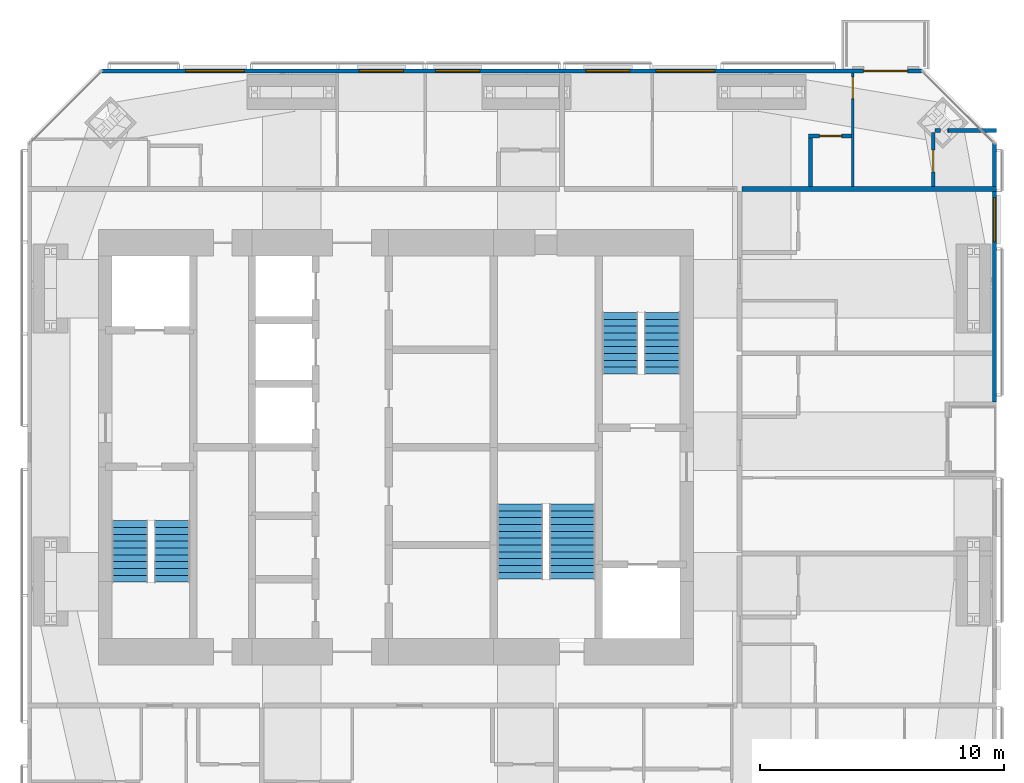
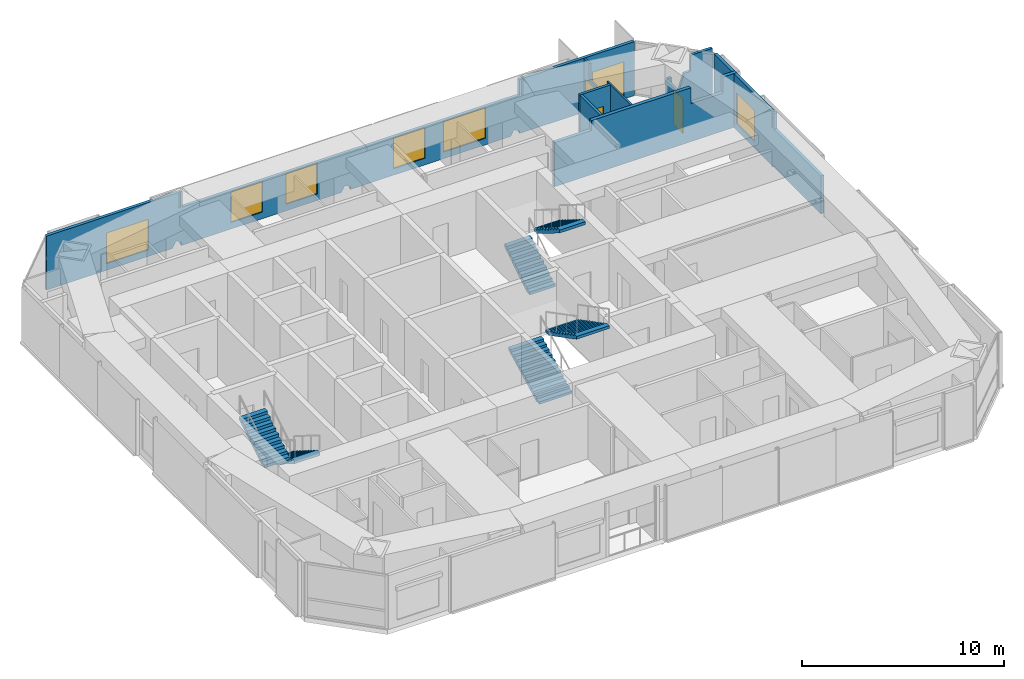
# One storey, part 18 of 19: 9 walls, 6 stair flights, 6 windows, 4 doors, 10 openings, 3 elements without a shape of their own.
"""IFC4 building model written with IfcOpenShell, lengths in metres."""

import ifcopenshell
import ifcopenshell.guid

model = None  # the IFC model being written
_history = None  # IfcOwnerHistory: only IFC2X3 demands one
_inside = {}  # id of a spatial element -> (the spatial element, [elements in it])
_under = {}  # id of a project, library or spatial element -> (it, [spatial elements below it])
_declared = {}  # id of a project -> (the project, [libraries it declares])
_typed = {}  # id of a type object -> (the type object, [elements of that type])
_made_of = {}  # id of a material, layer set ... -> (it, [elements and type objects made of it])


def new_model(schema):
    """Start an empty IFC model of exactly this schema.

    Asked for "IFC4X3", IfcOpenShell would pick the latest addendum, in which some entities
    have other attributes; the version numbers below select the first issue.
    IFC2X3 requires an IfcOwnerHistory on every rooted entity: one is made here for all.
    """
    global model, _history
    if schema == "IFC4X3":
        model = ifcopenshell.file(schema_version=(4, 3, 0, 0))
    else:
        model = ifcopenshell.file(schema=schema)
    _inside.clear()
    _under.clear()
    _declared.clear()
    _typed.clear()
    _made_of.clear()
    _history = None
    if model.schema == "IFC2X3":
        org = make("IfcOrganization", Name="unknown")
        user = make(
            "IfcPersonAndOrganization",
            ThePerson=make("IfcPerson", FamilyName="unknown"),
            TheOrganization=org,
        )
        app = make(
            "IfcApplication",
            ApplicationDeveloper=org,
            Version="unknown",
            ApplicationFullName="unknown",
            ApplicationIdentifier="unknown",
        )
        _history = make(
            "IfcOwnerHistory",
            OwningUser=user,
            OwningApplication=app,
            ChangeAction="ADDED",
            CreationDate=0,
        )
    return model


def make(cls, **values):
    """One entity of the class cls with the attributes given. An attribute that is None is left unset."""
    return model.create_entity(
        cls, **{name: value for name, value in values.items() if value is not None}
    )


def rooted(cls, **values):
    """An entity with a GlobalId (a new one), such as an element, a storey or a relation."""
    return make(cls, GlobalId=ifcopenshell.guid.new(), OwnerHistory=_history, **values)


def si_unit(unit_type, name, prefix=None):
    """IfcSIUnit, for example si_unit("LENGTHUNIT", "METRE", prefix="MILLI")."""
    return make("IfcSIUnit", UnitType=unit_type, Prefix=prefix, Name=name)


def assignment(units):
    """IfcUnitAssignment: the units of a project."""
    return None if units is None else make("IfcUnitAssignment", Units=units)


def point(xyz):
    """IfcCartesianPoint."""
    return None if xyz is None else make("IfcCartesianPoint", Coordinates=xyz)


def direction(xyz):
    """IfcDirection."""
    return None if xyz is None else make("IfcDirection", DirectionRatios=xyz)


def frame(location, z_axis=None, x_axis=None):
    """IfcAxis2Placement3D, a coordinate frame: its origin and axes. An axis left out is left unset."""
    return make(
        "IfcAxis2Placement3D",
        Location=point(location),
        Axis=direction(z_axis),
        RefDirection=direction(x_axis),
    )


def frame_2d(location, x_axis=None):
    """IfcAxis2Placement2D, a coordinate frame in the plane: its origin and x axis."""
    return make(
        "IfcAxis2Placement2D", Location=point(location), RefDirection=direction(x_axis)
    )


def origin():
    """The frame at (0, 0, 0) with its axes left unset."""
    return frame((0.0, 0.0, 0.0))


def place(relative_to, where):
    """IfcLocalPlacement: puts the frame where relative to a parent placement (None: the world)."""
    return make(
        "IfcLocalPlacement", PlacementRelTo=relative_to, RelativePlacement=where
    )


def context(
    kind, dimensions, precision=None, world=None, true_north=None, identifier=None
):
    """IfcGeometricRepresentationContext, for example the 3D "Model" context."""
    return make(
        "IfcGeometricRepresentationContext",
        ContextIdentifier=identifier,
        ContextType=kind,
        CoordinateSpaceDimension=dimensions,
        Precision=precision,
        WorldCoordinateSystem=world,
        TrueNorth=true_north,
    )


def subcontext(parent, identifier, kind, view, scale=None):
    """IfcGeometricRepresentationSubContext, for example "Body" below "Model"."""
    return make(
        "IfcGeometricRepresentationSubContext",
        ContextIdentifier=identifier,
        ContextType=kind,
        ParentContext=parent,
        TargetScale=scale,
        TargetView=view,
    )


def project(units=None, contexts=None):
    """IfcProject with its units and contexts."""
    return rooted(
        "IfcProject",
        Name="project",
        RepresentationContexts=contexts,
        UnitsInContext=assignment(units),
    )


def spatial(cls, under=None, at=None, **own):
    """A site, building, storey or space (cls), placed at a placement, below another one or the project."""
    s = rooted(cls, ObjectPlacement=at, **own)
    if under is not None:
        _under.setdefault(under.id(), (under, []))[1].append(s)
    return s


def polyline(points):
    """IfcPolyline through the points."""
    return make("IfcPolyline", Points=[point(p) for p in points])


def profile(cls, at=None, kind="AREA", **sizes):
    """A parametric profile (cls). Its sizes go by their IFC names, for example OverallWidth=200.0."""
    return make(cls, ProfileType=kind, Position=at, **sizes)


def rectangle(**sizes):
    """IfcRectangleProfileDef."""
    return profile("IfcRectangleProfileDef", **sizes)


def outline(outer, holes=None, kind="AREA"):
    """IfcArbitraryClosedProfileDef: a profile drawn as a closed curve; with holes, ...WithVoids."""
    if holes is None:
        return make("IfcArbitraryClosedProfileDef", ProfileType=kind, OuterCurve=outer)
    return make(
        "IfcArbitraryProfileDefWithVoids",
        ProfileType=kind,
        OuterCurve=outer,
        InnerCurves=holes,
    )


def extrude(swept, where, along, depth):
    """IfcExtrudedAreaSolid: the profile swept, set in the frame where, extruded along a direction by depth."""
    return make(
        "IfcExtrudedAreaSolid",
        SweptArea=swept,
        Position=where,
        ExtrudedDirection=direction(along),
        Depth=depth,
    )


def shape(context_of_items, identifier, shape_type, items):
    """IfcShapeRepresentation: the items that make up one representation, for example the "Body"."""
    return make(
        "IfcShapeRepresentation",
        ContextOfItems=context_of_items,
        RepresentationIdentifier=identifier,
        RepresentationType=shape_type,
        Items=items,
    )


def material(Name=None, Category=None):
    """IfcMaterial."""
    return make("IfcMaterial", Name=Name, Category=Category)


def constituent(of_material, Name=None, Category=None, fraction=None):
    """IfcMaterialConstituent: one of the materials an element consists of."""
    return make(
        "IfcMaterialConstituent",
        Name=Name,
        Material=of_material,
        Fraction=fraction,
        Category=Category,
    )


def constituent_set(constituents=None, Name=None):
    """IfcMaterialConstituentSet."""
    return make(
        "IfcMaterialConstituentSet", Name=Name, MaterialConstituents=constituents
    )


def made_of(thing, what):
    """Note that an element or type object is made of a material, layer set ...; save() writes the relation."""
    if what is not None:
        _made_of.setdefault(what.id(), (what, []))[1].append(thing)
    return thing


def type_object(cls, material=None, **own):
    """A type object (cls), such as IfcWallType, which elements share."""
    return made_of(rooted(cls, **own), material)


def element(
    cls,
    number,
    at=None,
    inside=None,
    cuts=None,
    type_object=None,
    material=None,
    context=None,
    identifier="Body",
    shape_type=None,
    held_by="IfcProductDefinitionShape",
    body=None,
    shapes=None,
    **own,
):
    """One element of the class cls, such as IfcWall. Its Tag is "e" and its number.

    at: its placement. inside: the storey or other place that contains it. cuts: it is an
    opening in that element (IfcRelVoidsElement). A single representation is given by context,
    identifier, shape_type and body (its items); several are given by shapes. held_by: the class
    of the entity that holds the representations. save() writes the other relations.
    """
    e = rooted(cls, Tag="e%d" % number, ObjectPlacement=at, **own)
    if body is not None:
        shapes = [shape(context, identifier, shape_type, body)]
    if shapes is not None:
        e.Representation = make(held_by, Representations=shapes)
    if inside is not None:
        _inside.setdefault(inside.id(), (inside, []))[1].append(e)
    if cuts is not None:
        rooted(
            "IfcRelVoidsElement", RelatingBuildingElement=cuts, RelatedOpeningElement=e
        )
    if type_object is not None:
        _typed.setdefault(type_object.id(), (type_object, []))[1].append(e)
    return made_of(e, material)


def fill(opening, filler):
    """IfcRelFillsElement: the door or window that sits in an opening."""
    return rooted(
        "IfcRelFillsElement",
        RelatingOpeningElement=opening,
        RelatedBuildingElement=filler,
    )


def aggregate(whole, parts):
    """IfcRelAggregates: a whole, such as a stair, and the parts it consists of."""
    return rooted("IfcRelAggregates", RelatingObject=whole, RelatedObjects=parts)


def save(model, path):
    """Write the relations noted so far, then the file.

    IfcRelAggregates (storeys below a building ...), IfcRelContainedInSpatialStructure (elements
    in a storey), IfcRelDefinesByType, IfcRelAssociatesMaterial and IfcRelDeclares: one each for
    every whole, place, type object, material and project.
    """
    for whole, parts in _under.values():
        aggregate(whole, parts)
    for where, things in _inside.values():
        rooted(
            "IfcRelContainedInSpatialStructure",
            RelatedElements=things,
            RelatingStructure=where,
        )
    for kind, things in _typed.values():
        rooted("IfcRelDefinesByType", RelatedObjects=things, RelatingType=kind)
    for what, things in _made_of.values():
        rooted("IfcRelAssociatesMaterial", RelatedObjects=things, RelatingMaterial=what)
    for by, libraries in _declared.values():
        rooted("IfcRelDeclares", RelatingContext=by, RelatedDefinitions=libraries)
    model.write(path)


model = new_model("IFC4")

# Units and contexts
model_context = context("Model", 3, precision=1e-05, world=origin(), true_north=direction((0.0, 1.0)))
body_context = subcontext(model_context, "Body", "Model", "MODEL_VIEW")
ifc_project = project(units=[si_unit("LENGTHUNIT", "METRE"), si_unit("AREAUNIT", "SQUARE_METRE"), si_unit("VOLUMEUNIT", "CUBIC_METRE"), si_unit("PLANEANGLEUNIT", "RADIAN"), si_unit("MASSUNIT", "GRAM", prefix="KILO")], contexts=[model_context])

# Site, building, storey
site_placement = place(None, origin())
site = spatial("IfcSite", under=ifc_project, at=site_placement, CompositionType="ELEMENT")
building_placement = place(site_placement, origin())
building = spatial("IfcBuilding", under=site, at=building_placement, Name="Jalousie Tower", CompositionType="ELEMENT")
storey_placement = place(building_placement, frame((0.0, 0.0, 217.949951171875)))
storey = spatial("IfcBuildingStorey", under=building, at=storey_placement, Name="L59", CompositionType="ELEMENT", Elevation=217.949951171875)

# Walls
ifc_material_1 = material(Name="Concrete block ASTM C90", Category="concrete")
ifc_constituent_1 = constituent(ifc_material_1, Name="Body")
ifc_material_2 = material(Name="Render")
ifc_constituent_2 = constituent(ifc_material_2, Name="Finish")
ifc_constituent_set_1 = constituent_set(constituents=[ifc_constituent_1, ifc_constituent_2])
wall_type_1 = type_object("IfcWallType", Name="BATHROOM WALL 150", PredefinedType="PLUMBINGWALL", material=ifc_constituent_set_1)
wall_1_placement = place(storey_placement, frame((53.97509765625, 31.47509765625, 0.0), z_axis=(0.0, 0.0, 1.0), x_axis=(1.0, 0.0, 0.0)))
element("IfcWall", 1, at=wall_1_placement, inside=storey, type_object=wall_type_1, Name="Bathroom Wall 150 L59-A", PredefinedType="PLUMBINGWALL", context=body_context, shape_type="SweptSolid", body=[
    extrude(outline(polyline([(0.216796875, 2.300048828125), (0.0, 2.300048828125), (0.0, 0.521240234375), (0.216796875, 0.4423828125), (0.216796875, 2.300048828125)])), frame((0.0, 0.074951171875, 0.0), z_axis=(0.0, -1.0, 0.0), x_axis=(1.0, 0.0, 0.0)), (0.0, 0.0, 1.0), 0.14990234375),
])
wall_2_placement = place(storey_placement, frame((54.482421875, 31.47509765625, 0.0), z_axis=(0.0, 0.0, 1.0), x_axis=(1.0, 0.0, 0.0)))
element("IfcWall", 2, at=wall_2_placement, inside=storey, type_object=wall_type_1, Name="Bathroom Wall 150 L59-B", PredefinedType="PLUMBINGWALL", context=body_context, shape_type="SweptSolid", body=[
    extrude(outline(polyline([(0.76953125, 3.260009765625), (0.76953125, 2.300048828125), (0.412109375, 2.300048828125), (0.397216796875, 2.214111328125), (0.0, 1.074951171875), (0.294921875, 0.229248046875), (0.81494140625, 0.039794921875), (0.81494140625, 0.0), (2.017578125, 0.0), (2.017578125, 3.260009765625), (0.76953125, 3.260009765625)])), frame((0.0, 0.074951171875, 0.0), z_axis=(0.0, -1.0, 0.0), x_axis=(1.0, 0.0, 0.0)), (0.0, 0.0, 1.0), 0.14990234375),
])

# Wall, opening, door
wall_3_placement = place(storey_placement, frame((53.89990234375, 31.39990234375, 0.0), z_axis=(0.0, 0.0, 1.0), x_axis=(0.0, -1.0, 0.0)))
wall_3 = element("IfcWall", 3, at=wall_3_placement, inside=storey, type_object=wall_type_1, Name="Bathroom Wall 150 L59", PredefinedType="PLUMBINGWALL", context=body_context, shape_type="SweptSolid", body=[
    extrude(outline(polyline([(2.22509765625, 2.300048828125), (0.0, 2.300048828125), (0.0, 0.547607421875), (0.198974609375, 0.510498046875), (0.354736328125, 0.425048828125), (0.41796875, 0.0), (2.22509765625, 0.0), (2.22509765625, 2.300048828125)])), frame((0.0, 0.074951171875, 0.0), z_axis=(0.0, -1.0, 0.0), x_axis=(1.0, 0.0, 0.0)), (0.0, 0.0, 1.0), 0.14990234375),
])
opening_1_placement = place(wall_3_placement, frame((0.72509765625, 0.0, 0.0)))
opening_1 = element("IfcOpeningElement", 4, at=opening_1_placement, cuts=wall_3, Name="Opening D3", PredefinedType="OPENING", context=body_context, shape_type="SweptSolid", body=[
    extrude(rectangle(XDim=0.89990234375, YDim=2.10009765625, at=frame_2d((0.449951171875, 1.050048828125))), frame((0.0, 0.0849609375, 0.0), z_axis=(0.0, -1.0, 0.0), x_axis=(1.0, 0.0, 0.0)), (0.0, 0.0, 1.0), 0.169921875),
])
ifc_material_3 = material(Name="Timber door", Category="wood")
door_type_1 = type_object("IfcDoorType", Name="BATHROOM DOOR 900", OperationType="SINGLE_SWING_LEFT", PredefinedType="DOOR", material=ifc_material_3)
door_1_placement = place(opening_1_placement, origin())
door_1 = element("IfcDoor", 5, at=door_1_placement, inside=storey, type_object=door_type_1, Name="Apartment 5905 bathroom door", OperationType="SINGLE_SWING_RIGHT", OverallHeight=2.10009765625, OverallWidth=0.89990234375, PredefinedType="DOOR", context=body_context, shape_type="SweptSolid", body=[
    extrude(rectangle(XDim=0.89990234375, YDim=2.10009765625, at=frame_2d((0.449951171875, 1.050048828125))), frame((0.0, 0.02490234375, 0.0), z_axis=(0.0, -1.0, 0.0), x_axis=(1.0, 0.0, 0.0)), (0.0, 0.0, 1.0), 0.050048828125),
])
fill(opening_1, door_1)

wall_4_placement = place(storey_placement, frame((50.552490234375, 31.25, 0.0), z_axis=(0.0, 0.0, 1.0), x_axis=(-1.0, 0.0, 0.0)))
wall_4 = element("IfcWall", 6, at=wall_4_placement, inside=storey, type_object=wall_type_1, Name="Bathroom Wall 150 L59", PredefinedType="PLUMBINGWALL", context=body_context, shape_type="SweptSolid", body=[
    extrude(rectangle(XDim=1.75, YDim=0.14990234375, at=frame_2d((0.875, 0.0))), origin(), (0.0, 0.0, 1.0), 3.260009765625),
])
opening_2_placement = place(wall_4_placement, frame((0.39990234375, 0.0, 0.0)))
opening_2 = element("IfcOpeningElement", 7, at=opening_2_placement, cuts=wall_4, Name="Opening D7", PredefinedType="OPENING", context=body_context, shape_type="SweptSolid", body=[
    extrude(rectangle(XDim=0.89990234375, YDim=2.10009765625, at=frame_2d((0.449951171875, 1.050048828125))), frame((0.0, 0.0849609375, 0.0), z_axis=(0.0, -1.0, 0.0), x_axis=(1.0, 0.0, 0.0)), (0.0, 0.0, 1.0), 0.169921875),
])
ifc_material_4 = material(Name="Timber door", Category="wood")
door_type_2 = type_object("IfcDoorType", Name="INTERNAL DOOR 900", OperationType="SINGLE_SWING_LEFT", PredefinedType="DOOR", material=ifc_material_4)
door_2_placement = place(opening_2_placement, origin())
door_2 = element("IfcDoor", 8, at=door_2_placement, inside=storey, type_object=door_type_2, Name="Apartment 5905 guest WC door", OperationType="SINGLE_SWING_RIGHT", OverallHeight=2.10009765625, OverallWidth=0.89990234375, PredefinedType="DOOR", context=body_context, shape_type="SweptSolid", body=[
    extrude(rectangle(XDim=0.89990234375, YDim=2.10009765625, at=frame_2d((0.449951171875, 1.050048828125))), frame((0.0, 0.02490234375, 0.0), z_axis=(0.0, -1.0, 0.0), x_axis=(1.0, 0.0, 0.0)), (0.0, 0.0, 1.0), 0.050048828125),
])
fill(opening_2, door_2)

# Wall
wall_5_placement = place(storey_placement, frame((48.87744140625, 29.175048828125, 0.0), z_axis=(0.0, 0.0, 1.0), x_axis=(0.0, 1.0, 0.0)))
element("IfcWall", 9, at=wall_5_placement, inside=storey, type_object=wall_type_1, Name="Bathroom Wall 150 L59", PredefinedType="PLUMBINGWALL", context=body_context, shape_type="SweptSolid", body=[
    extrude(rectangle(XDim=2.0, YDim=0.14990234375, at=frame_2d((1.0, 0.0))), origin(), (0.0, 0.0, 1.0), 3.260009765625),
])

# Wall, opening, window
ifc_material_5 = material(Name="Concrete f'c 40 MPa", Category="concrete")
ifc_constituent_3 = constituent(ifc_material_5, Name="Body")
ifc_material_6 = material(Name="Render, pastel sky blue")
ifc_constituent_4 = constituent(ifc_material_6, Name="Finish")
ifc_constituent_set_2 = constituent_set(constituents=[ifc_constituent_3, ifc_constituent_4])
wall_type_2 = type_object("IfcWallType", Name="EXTERNAL WALL 175 SKY BLUE RENDER", PredefinedType="SOLIDWALL", material=ifc_constituent_set_2)
wall_6_placement = place(storey_placement, frame((56.41259765625, 20.35009765625, 0.0), z_axis=(0.0, 0.0, 1.0), x_axis=(0.0, 1.0, 0.0)))
wall_6 = element("IfcWall", 10, at=wall_6_placement, inside=storey, type_object=wall_type_2, Name="External Wall 175 Sky Blue Render L59", PredefinedType="SOLIDWALL", context=body_context, shape_type="SweptSolid", body=[
    extrude(outline(polyline([(0.0, 0.0), (10.5986328125, 0.0), (10.5986328125, 3.260009765625), (4.8583984375, 3.260009765625), (4.8583984375, 2.300048828125), (4.79345703125, 2.300048828125), (4.79345703125, 3.260009765625), (4.64990234375, 3.260009765625), (4.64990234375, 2.300048828125), (0.0, 2.300048828125), (0.0, 0.0)])), frame((0.0, 0.08740234375, 0.0), z_axis=(0.0, -1.0, 0.0), x_axis=(1.0, 0.0, 0.0)), (0.0, 0.0, 1.0), 0.175048828125),
])
opening_3_placement = place(wall_6_placement, frame((6.574951171875, 0.0, 0.39990234375)))
opening_3 = element("IfcOpeningElement", 11, at=opening_3_placement, cuts=wall_6, Name="Opening W-BED185", PredefinedType="OPENING", context=body_context, shape_type="SweptSolid", body=[
    extrude(rectangle(XDim=1.800048828125, YDim=1.85009765625, at=frame_2d((0.89990234375, 0.925048828125))), frame((0.0, 0.097412109375, 0.0), z_axis=(0.0, -1.0, 0.0), x_axis=(1.0, 0.0, 0.0)), (0.0, 0.0, 1.0), 0.195068359375),
])
ifc_material_7 = material(Name="Aluminium frame, impact-rated glazing", Category="aluminium")
window_type_1 = type_object("IfcWindowType", Name="WINDOW BED 1800x1850", PartitioningType="SINGLE_PANEL", PredefinedType="WINDOW", material=ifc_material_7)
window_1_placement = place(opening_3_placement, origin())
window_1 = element("IfcWindow", 12, at=window_1_placement, inside=storey, type_object=window_type_1, Name="Apartment 5908 studio living and sleeping room window", OverallHeight=1.85009765625, OverallWidth=1.800048828125, PartitioningType="SINGLE_PANEL", PredefinedType="WINDOW", context=body_context, shape_type="SweptSolid", body=[
    extrude(rectangle(XDim=1.800048828125, YDim=1.85009765625, at=frame_2d((0.89990234375, 0.925048828125))), frame((0.0, 0.030029296875, 0.0), z_axis=(0.0, -1.0, 0.0), x_axis=(1.0, 0.0, 0.0)), (0.0, 0.0, 1.0), 0.06005859375),
])
fill(opening_3, window_1)

# Wall, openings, door, windows
wall_7_placement = place(storey_placement, frame((53.44873046875, 33.91259765625, 0.0), z_axis=(0.0, 0.0, 1.0), x_axis=(-1.0, 0.0, 0.0)))
wall_7 = element("IfcWall", 13, at=wall_7_placement, inside=storey, type_object=wall_type_2, Name="External Wall 175 Sky Blue Render L59", PredefinedType="SOLIDWALL", context=body_context, shape_type="SweptSolid", body=[
    extrude(outline(polyline([(33.597412109375, 0.0), (33.597412109375, 3.260009765625), (26.03857421875, 3.260009765625), (26.03857421875, 2.300048828125), (25.955078125, 2.300048828125), (25.955078125, 3.260009765625), (25.82373046875, 3.260009765625), (25.82373046875, 2.300048828125), (6.57373046875, 2.300048828125), (6.57373046875, 3.260009765625), (6.4423828125, 3.260009765625), (6.4423828125, 2.300048828125), (6.35888671875, 2.300048828125), (6.35888671875, 3.260009765625), (0.0, 3.260009765625), (0.0, 0.0), (6.5576171875, 0.0), (6.5576171875, 0.15869140625), (6.83837890625, 0.3017578125), (6.9111328125, 0.3017578125), (7.06494140625, 0.0), (16.2255859375, 0.0), (16.2255859375, 0.178466796875), (16.497802734375, 0.330810546875), (16.553466796875, 0.330810546875), (16.73828125, 0.0), (25.889404296875, 0.0), (25.889404296875, 0.201171875), (26.14599609375, 0.358154296875), (26.188720703125, 0.358154296875), (26.408203125, 0.0), (33.597412109375, 0.0)])), frame((0.0, 0.08740234375, 0.0), z_axis=(0.0, -1.0, 0.0), x_axis=(1.0, 0.0, 0.0)), (0.0, 0.0, 1.0), 0.175048828125),
])
opening_4_placement = place(wall_7_placement, frame((0.60009765625, 0.0, 0.0)))
opening_4 = element("IfcOpeningElement", 14, at=opening_4_placement, cuts=wall_7, Name="Opening D-BAL22", PredefinedType="OPENING", context=body_context, shape_type="SweptSolid", body=[
    extrude(rectangle(XDim=1.800048828125, YDim=2.25, at=frame_2d((0.89990234375, 1.125))), frame((0.0, 0.097412109375, 0.0), z_axis=(0.0, -1.0, 0.0), x_axis=(1.0, 0.0, 0.0)), (0.0, 0.0, 1.0), 0.195068359375),
])
opening_5_placement = place(wall_7_placement, frame((8.498779296875, 0.0, 0.39990234375)))
opening_5 = element("IfcOpeningElement", 15, at=opening_5_placement, cuts=wall_7, Name="Opening W-LIV185", PredefinedType="OPENING", context=body_context, shape_type="SweptSolid", body=[
    extrude(rectangle(XDim=2.39990234375, YDim=1.85009765625, at=frame_2d((1.199951171875, 0.925048828125))), frame((0.0, 0.097412109375, 0.0), z_axis=(0.0, -1.0, 0.0), x_axis=(1.0, 0.0, 0.0)), (0.0, 0.0, 1.0), 0.195068359375),
])
opening_6_placement = place(wall_7_placement, frame((11.9736328125, 0.0, 0.39990234375)))
opening_6 = element("IfcOpeningElement", 16, at=opening_6_placement, cuts=wall_7, Name="Opening W-BED185", PredefinedType="OPENING", context=body_context, shape_type="SweptSolid", body=[
    extrude(rectangle(XDim=1.800048828125, YDim=1.85009765625, at=frame_2d((0.89990234375, 0.925048828125))), frame((0.0, 0.097412109375, 0.0), z_axis=(0.0, -1.0, 0.0), x_axis=(1.0, 0.0, 0.0)), (0.0, 0.0, 1.0), 0.195068359375),
])
opening_7_placement = place(wall_7_placement, frame((18.123779296875, 0.0, 0.39990234375)))
opening_7 = element("IfcOpeningElement", 17, at=opening_7_placement, cuts=wall_7, Name="Opening W-BED185", PredefinedType="OPENING", context=body_context, shape_type="SweptSolid", body=[
    extrude(rectangle(XDim=1.800048828125, YDim=1.85009765625, at=frame_2d((0.89990234375, 0.925048828125))), frame((0.0, 0.097412109375, 0.0), z_axis=(0.0, -1.0, 0.0), x_axis=(1.0, 0.0, 0.0)), (0.0, 0.0, 1.0), 0.195068359375),
])
opening_8_placement = place(wall_7_placement, frame((21.248779296875, 0.0, 0.39990234375)))
opening_8 = element("IfcOpeningElement", 18, at=opening_8_placement, cuts=wall_7, Name="Opening W-BED185", PredefinedType="OPENING", context=body_context, shape_type="SweptSolid", body=[
    extrude(rectangle(XDim=1.800048828125, YDim=1.85009765625, at=frame_2d((0.89990234375, 0.925048828125))), frame((0.0, 0.097412109375, 0.0), z_axis=(0.0, -1.0, 0.0), x_axis=(1.0, 0.0, 0.0)), (0.0, 0.0, 1.0), 0.195068359375),
])
opening_9_placement = place(wall_7_placement, frame((27.760498046875, 0.0, 0.39990234375)))
opening_9 = element("IfcOpeningElement", 19, at=opening_9_placement, cuts=wall_7, Name="Opening W-LIV185", PredefinedType="OPENING", context=body_context, shape_type="SweptSolid", body=[
    extrude(rectangle(XDim=2.39990234375, YDim=1.85009765625, at=frame_2d((1.199951171875, 0.925048828125))), frame((0.0, 0.097412109375, 0.0), z_axis=(0.0, -1.0, 0.0), x_axis=(1.0, 0.0, 0.0)), (0.0, 0.0, 1.0), 0.195068359375),
])
ifc_material_8 = material(Name="Aluminium frame, impact-rated glazing", Category="aluminium")
door_type_3 = type_object("IfcDoorType", Name="BALCONY DOOR 1800x2250", OperationType="SLIDING_TO_LEFT", PredefinedType="DOOR", material=ifc_material_8)
door_3_placement = place(opening_4_placement, origin())
door_3 = element("IfcDoor", 20, at=door_3_placement, inside=storey, type_object=door_type_3, Name="Apartment 5905 bedroom 1 balcony door", OperationType="SLIDING_TO_LEFT", OverallHeight=2.25, OverallWidth=1.800048828125, PredefinedType="DOOR", context=body_context, shape_type="SweptSolid", body=[
    extrude(rectangle(XDim=1.800048828125, YDim=2.25, at=frame_2d((0.89990234375, 1.125))), frame((0.0, 0.02490234375, 0.0), z_axis=(0.0, -1.0, 0.0), x_axis=(1.0, 0.0, 0.0)), (0.0, 0.0, 1.0), 0.050048828125),
])
fill(opening_4, door_3)
window_2_placement = place(opening_6_placement, origin())
window_2 = element("IfcWindow", 21, at=window_2_placement, inside=storey, type_object=window_type_1, Name="Apartment 5905 bedroom 2 window", OverallHeight=1.85009765625, OverallWidth=1.800048828125, PartitioningType="SINGLE_PANEL", PredefinedType="WINDOW", context=body_context, shape_type="SweptSolid", body=[
    extrude(rectangle(XDim=1.800048828125, YDim=1.85009765625, at=frame_2d((0.89990234375, 0.925048828125))), frame((0.0, 0.030029296875, 0.0), z_axis=(0.0, -1.0, 0.0), x_axis=(1.0, 0.0, 0.0)), (0.0, 0.0, 1.0), 0.06005859375),
])
fill(opening_6, window_2)
window_3_placement = place(opening_7_placement, origin())
window_3 = element("IfcWindow", 22, at=window_3_placement, inside=storey, type_object=window_type_1, Name="Apartment 5904 bedroom 1 window", OverallHeight=1.85009765625, OverallWidth=1.800048828125, PartitioningType="SINGLE_PANEL", PredefinedType="WINDOW", context=body_context, shape_type="SweptSolid", body=[
    extrude(rectangle(XDim=1.800048828125, YDim=1.85009765625, at=frame_2d((0.89990234375, 0.925048828125))), frame((0.0, 0.030029296875, 0.0), z_axis=(0.0, -1.0, 0.0), x_axis=(1.0, 0.0, 0.0)), (0.0, 0.0, 1.0), 0.06005859375),
])
fill(opening_7, window_3)
window_4_placement = place(opening_8_placement, origin())
window_4 = element("IfcWindow", 23, at=window_4_placement, inside=storey, type_object=window_type_1, Name="Apartment 5904 bedroom 2 window", OverallHeight=1.85009765625, OverallWidth=1.800048828125, PartitioningType="SINGLE_PANEL", PredefinedType="WINDOW", context=body_context, shape_type="SweptSolid", body=[
    extrude(rectangle(XDim=1.800048828125, YDim=1.85009765625, at=frame_2d((0.89990234375, 0.925048828125))), frame((0.0, 0.030029296875, 0.0), z_axis=(0.0, -1.0, 0.0), x_axis=(1.0, 0.0, 0.0)), (0.0, 0.0, 1.0), 0.06005859375),
])
fill(opening_8, window_4)
ifc_material_9 = material(Name="Aluminium frame, impact-rated glazing", Category="aluminium")
window_type_2 = type_object("IfcWindowType", Name="WINDOW LIV 2400x1850", PartitioningType="DOUBLE_PANEL_VERTICAL", PredefinedType="WINDOW", material=ifc_material_9)
window_5_placement = place(opening_5_placement, origin())
window_5 = element("IfcWindow", 24, at=window_5_placement, inside=storey, type_object=window_type_2, Name="Apartment 5905 living, dining and kitchen window", OverallHeight=1.85009765625, OverallWidth=2.39990234375, PartitioningType="SINGLE_PANEL", PredefinedType="WINDOW", context=body_context, shape_type="SweptSolid", body=[
    extrude(rectangle(XDim=2.39990234375, YDim=1.85009765625, at=frame_2d((1.199951171875, 0.925048828125))), frame((0.0, 0.030029296875, 0.0), z_axis=(0.0, -1.0, 0.0), x_axis=(1.0, 0.0, 0.0)), (0.0, 0.0, 1.0), 0.06005859375),
])
fill(opening_5, window_5)
window_6_placement = place(opening_9_placement, origin())
window_6 = element("IfcWindow", 25, at=window_6_placement, inside=storey, type_object=window_type_2, Name="Apartment 5904 living and dining room window", OverallHeight=1.85009765625, OverallWidth=2.39990234375, PartitioningType="SINGLE_PANEL", PredefinedType="WINDOW", context=body_context, shape_type="SweptSolid", body=[
    extrude(rectangle(XDim=2.39990234375, YDim=1.85009765625, at=frame_2d((1.199951171875, 0.925048828125))), frame((0.0, 0.030029296875, 0.0), z_axis=(0.0, -1.0, 0.0), x_axis=(1.0, 0.0, 0.0)), (0.0, 0.0, 1.0), 0.06005859375),
])
fill(opening_9, window_6)

# Wall, opening, door
ifc_material_10 = material(Name="Gypsum board", Category="gypsum")
ifc_constituent_5 = constituent(ifc_material_10, Name="Body")
ifc_material_11 = material(Name="Light-gauge steel studs ASTM A653 SS Grade 33", Category="steel")
ifc_constituent_6 = constituent(ifc_material_11, Name="Framing")
ifc_constituent_set_3 = constituent_set(constituents=[ifc_constituent_5, ifc_constituent_6])
wall_type_3 = type_object("IfcWallType", Name="PARTITION 100", PredefinedType="PARTITIONING", material=ifc_constituent_set_3)
wall_8_placement = place(storey_placement, frame((50.6025390625, 33.824951171875, 0.0), z_axis=(0.0, 0.0, 1.0), x_axis=(0.0, -1.0, 0.0)))
wall_8 = element("IfcWall", 26, at=wall_8_placement, inside=storey, type_object=wall_type_3, Name="Partition 100 L59", PredefinedType="PARTITIONING", context=body_context, shape_type="SweptSolid", body=[
    extrude(outline(polyline([(0.0, 0.0), (4.64990234375, 0.0), (4.64990234375, 3.260009765625), (2.279052734375, 3.260009765625), (2.279052734375, 2.300048828125), (0.534423828125, 2.300048828125), (0.534423828125, 3.260009765625), (0.0, 3.260009765625), (0.0, 0.0)])), frame((0.0, 0.050048828125, 0.0), z_axis=(0.0, -1.0, 0.0), x_axis=(1.0, 0.0, 0.0)), (0.0, 0.0, 1.0), 0.10009765625),
])
opening_10_placement = place(wall_8_placement, frame((0.14990234375, 0.0, 0.0)))
opening_10 = element("IfcOpeningElement", 27, at=opening_10_placement, cuts=wall_8, Name="Opening D2", PredefinedType="OPENING", context=body_context, shape_type="SweptSolid", body=[
    extrude(rectangle(XDim=0.89990234375, YDim=2.10009765625, at=frame_2d((0.449951171875, 1.050048828125))), frame((0.0, 0.06005859375, 0.0), z_axis=(0.0, -1.0, 0.0), x_axis=(1.0, 0.0, 0.0)), (0.0, 0.0, 1.0), 0.1201171875),
])
ifc_material_12 = material(Name="Timber door", Category="wood")
door_type_4 = type_object("IfcDoorType", Name="BEDROOM DOOR 900", OperationType="SINGLE_SWING_LEFT", PredefinedType="DOOR", material=ifc_material_12)
door_4_placement = place(opening_10_placement, origin())
door_4 = element("IfcDoor", 28, at=door_4_placement, inside=storey, type_object=door_type_4, Name="Apartment 5905 bedroom 1 door", OperationType="SINGLE_SWING_LEFT", OverallHeight=2.10009765625, OverallWidth=0.89990234375, PredefinedType="DOOR", context=body_context, shape_type="SweptSolid", body=[
    extrude(rectangle(XDim=0.89990234375, YDim=2.10009765625, at=frame_2d((0.449951171875, 1.050048828125))), frame((0.0, 0.02490234375, 0.0), z_axis=(0.0, -1.0, 0.0), x_axis=(1.0, 0.0, 0.0)), (0.0, 0.0, 1.0), 0.050048828125),
])
fill(opening_10, door_4)

# Wall
ifc_material_13 = material(Name="Concrete block ASTM C90", Category="concrete")
ifc_constituent_7 = constituent(ifc_material_13, Name="Body")
ifc_material_14 = material(Name="Render")
ifc_constituent_8 = constituent(ifc_material_14, Name="Finish")
ifc_constituent_set_4 = constituent_set(constituents=[ifc_constituent_7, ifc_constituent_8])
wall_type_4 = type_object("IfcWallType", Name="PARTY WALL 200", PredefinedType="PARTITIONING", material=ifc_constituent_set_4)
wall_9_placement = place(storey_placement, frame((46.074951171875, 29.074951171875, 0.0), z_axis=(0.0, 0.0, 1.0), x_axis=(1.0, 0.0, 0.0)))
element("IfcWall", 29, at=wall_9_placement, inside=storey, type_object=wall_type_4, Name="Party Wall 200 L59", PredefinedType="PARTITIONING", context=body_context, shape_type="SweptSolid", body=[
    extrude(outline(polyline([(0.0, 0.0), (10.425048828125, 0.0), (10.425048828125, 3.260009765625), (9.646240234375, 3.260009765625), (9.646240234375, 2.300048828125), (7.79541015625, 2.300048828125), (7.79541015625, 3.260009765625), (2.110107421875, 3.260009765625), (2.110107421875, 2.66015625), (0.0, 2.66015625), (0.0, 3.260009765625), (0.0, 0.0)])), frame((0.0, 0.10009765625, 0.0), z_axis=(0.0, -1.0, 0.0), x_axis=(1.0, 0.0, 0.0)), (0.0, 0.0, 1.0), 0.199951171875),
])

# Stair, stair flights
ifc_material_15 = material(Name="Concrete f'c 40 MPa", Category="concrete")
stair_type = type_object("IfcStairType", Name="EXIT STAIR", PredefinedType="HALF_TURN_STAIR", material=ifc_material_15)
stair_1_placement = place(storey_placement, origin())
stair_1 = element("IfcStair", 30, at=stair_1_placement, inside=storey, type_object=stair_type, Name="Exit stair A L59", PredefinedType="HALF_TURN_STAIR")
ifc_material_16 = material(Name="Concrete f'c 40 MPa", Category="concrete")
stair_flight_type = type_object("IfcStairFlightType", Name="STAIR FLIGHT", PredefinedType="STRAIGHT", material=ifc_material_16)
stair_flight_1_placement = place(storey_placement, frame((22.71875, 15.49755859375, 0.0), z_axis=(0.0, 0.0, 1.0), x_axis=(0.0, -1.0, 0.0)))
stair_flight_1 = element("IfcStairFlight", 31, at=stair_flight_1_placement, type_object=stair_flight_type, Name="ST-A flight 1", NumberOfRisers=10, NumberOfTreads=9, PredefinedType="STRAIGHT", RiserHeight=0.175, TreadLength=0.28, context=body_context, shape_type="SweptSolid", body=[
    extrude(outline(polyline([(0.0, 0.0), (0.0, 0.175048828125), (0.280029296875, 0.175048828125), (0.280029296875, 0.35009765625), (0.56005859375, 0.35009765625), (0.56005859375, 0.52490234375), (0.840087890625, 0.52490234375), (0.840087890625, 0.699951171875), (1.1201171875, 0.699951171875), (1.1201171875, 0.875), (1.39990234375, 0.875), (1.39990234375, 1.050048828125), (1.679931640625, 1.050048828125), (1.679931640625, 1.22509765625), (1.9599609375, 1.22509765625), (1.9599609375, 1.39990234375), (2.239990234375, 1.39990234375), (2.239990234375, 1.574951171875), (2.52001953125, 1.574951171875), (2.52001953125, 1.75), (2.52001953125, 1.398193359375), (0.28271484375, 0.0), (0.0, 0.0)])), frame((0.0, 0.731201171875, 0.0), z_axis=(0.0, -1.0, 0.0), x_axis=(1.0, 0.0, 0.0)), (0.0, 0.0, 1.0), 1.46240234375),
])
stair_flight_2_placement = place(storey_placement, frame((21.00634765625, 12.9775390625, 1.75), z_axis=(0.0, 0.0, 1.0), x_axis=(0.0, 1.0, 0.0)))
stair_flight_2 = element("IfcStairFlight", 32, at=stair_flight_2_placement, type_object=stair_flight_type, Name="ST-A flight 2", NumberOfRisers=10, NumberOfTreads=9, PredefinedType="STRAIGHT", RiserHeight=0.175, TreadLength=0.28, context=body_context, shape_type="SweptSolid", body=[
    extrude(outline(polyline([(0.0, 0.0), (0.0, 0.175048828125), (0.280029296875, 0.175048828125), (0.280029296875, 0.35009765625), (0.56005859375, 0.35009765625), (0.56005859375, 0.52490234375), (0.840087890625, 0.52490234375), (0.840087890625, 0.699951171875), (1.1201171875, 0.699951171875), (1.1201171875, 0.875), (1.39990234375, 0.875), (1.39990234375, 1.050048828125), (1.679931640625, 1.050048828125), (1.679931640625, 1.22509765625), (1.9599609375, 1.22509765625), (1.9599609375, 1.39990234375), (2.239990234375, 1.39990234375), (2.239990234375, 1.574951171875), (2.52001953125, 1.574951171875), (2.52001953125, 1.75), (2.52001953125, 1.398193359375), (0.28271484375, 0.0), (0.0, 0.0)])), frame((0.0, 0.731201171875, 0.0), z_axis=(0.0, -1.0, 0.0), x_axis=(1.0, 0.0, 0.0)), (0.0, 0.0, 1.0), 1.46240234375),
])
aggregate(stair_1, [stair_flight_1, stair_flight_2])

stair_2_placement = place(storey_placement, origin())
stair_2 = element("IfcStair", 33, at=stair_2_placement, inside=storey, type_object=stair_type, Name="Exit stair B L59", PredefinedType="HALF_TURN_STAIR")
stair_flight_3_placement = place(storey_placement, frame((41.081298828125, 21.50244140625, 0.0), z_axis=(0.0, 0.0, 1.0), x_axis=(0.0, 1.0, 0.0)))
stair_flight_3 = element("IfcStairFlight", 34, at=stair_flight_3_placement, type_object=stair_flight_type, Name="ST-B flight 1", NumberOfRisers=10, NumberOfTreads=9, PredefinedType="STRAIGHT", RiserHeight=0.175, TreadLength=0.28, context=body_context, shape_type="SweptSolid", body=[
    extrude(outline(polyline([(0.0, 0.0), (0.0, 0.175048828125), (0.280029296875, 0.175048828125), (0.280029296875, 0.35009765625), (0.56005859375, 0.35009765625), (0.56005859375, 0.52490234375), (0.840087890625, 0.52490234375), (0.840087890625, 0.699951171875), (1.1201171875, 0.699951171875), (1.1201171875, 0.875), (1.39990234375, 0.875), (1.39990234375, 1.050048828125), (1.679931640625, 1.050048828125), (1.679931640625, 1.22509765625), (1.9599609375, 1.22509765625), (1.9599609375, 1.39990234375), (2.239990234375, 1.39990234375), (2.239990234375, 1.574951171875), (2.52001953125, 1.574951171875), (2.52001953125, 1.75), (2.52001953125, 1.398193359375), (0.28271484375, 0.0), (0.0, 0.0)])), frame((0.0, 0.731201171875, 0.0), z_axis=(0.0, -1.0, 0.0), x_axis=(1.0, 0.0, 0.0)), (0.0, 0.0, 1.0), 1.46240234375),
])
stair_flight_4_placement = place(storey_placement, frame((42.793701171875, 24.0224609375, 1.75), z_axis=(0.0, 0.0, 1.0), x_axis=(0.0, -1.0, 0.0)))
stair_flight_4 = element("IfcStairFlight", 35, at=stair_flight_4_placement, type_object=stair_flight_type, Name="ST-B flight 2", NumberOfRisers=10, NumberOfTreads=9, PredefinedType="STRAIGHT", RiserHeight=0.175, TreadLength=0.28, context=body_context, shape_type="SweptSolid", body=[
    extrude(outline(polyline([(0.0, 0.0), (0.0, 0.175048828125), (0.280029296875, 0.175048828125), (0.280029296875, 0.35009765625), (0.56005859375, 0.35009765625), (0.56005859375, 0.52490234375), (0.840087890625, 0.52490234375), (0.840087890625, 0.699951171875), (1.1201171875, 0.699951171875), (1.1201171875, 0.875), (1.39990234375, 0.875), (1.39990234375, 1.050048828125), (1.679931640625, 1.050048828125), (1.679931640625, 1.22509765625), (1.9599609375, 1.22509765625), (1.9599609375, 1.39990234375), (2.239990234375, 1.39990234375), (2.239990234375, 1.574951171875), (2.52001953125, 1.574951171875), (2.52001953125, 1.75), (2.52001953125, 1.398193359375), (0.28271484375, 0.0), (0.0, 0.0)])), frame((0.0, 0.731201171875, 0.0), z_axis=(0.0, -1.0, 0.0), x_axis=(1.0, 0.0, 0.0)), (0.0, 0.0, 1.0), 1.46240234375),
])
aggregate(stair_2, [stair_flight_3, stair_flight_4])

stair_3_placement = place(storey_placement, origin())
stair_3 = element("IfcStair", 36, at=stair_3_placement, inside=storey, type_object=stair_type, Name="Exit stair C L59", PredefinedType="HALF_TURN_STAIR")
stair_flight_5_placement = place(storey_placement, frame((36.987548828125, 13.097412109375, 0.0), z_axis=(0.0, 0.0, 1.0), x_axis=(0.0, 1.0, 0.0)))
stair_flight_5 = element("IfcStairFlight", 37, at=stair_flight_5_placement, type_object=stair_flight_type, Name="ST-C flight 1", NumberOfRisers=12, NumberOfTreads=11, PredefinedType="STRAIGHT", RiserHeight=0.145833333, TreadLength=0.28, context=body_context, shape_type="SweptSolid", body=[
    extrude(outline(polyline([(0.0, 0.0), (0.0, 0.145751953125), (0.280029296875, 0.145751953125), (0.280029296875, 0.291748046875), (0.56005859375, 0.291748046875), (0.56005859375, 0.4375), (0.840087890625, 0.4375), (0.840087890625, 0.583251953125), (1.1201171875, 0.583251953125), (1.1201171875, 0.729248046875), (1.39990234375, 0.729248046875), (1.39990234375, 0.875), (1.679931640625, 0.875), (1.679931640625, 1.020751953125), (1.9599609375, 1.020751953125), (1.9599609375, 1.166748046875), (2.239990234375, 1.166748046875), (2.239990234375, 1.3125), (2.52001953125, 1.3125), (2.52001953125, 1.458251953125), (2.800048828125, 1.458251953125), (2.800048828125, 1.604248046875), (3.080078125, 1.604248046875), (3.080078125, 1.75), (3.080078125, 1.43505859375), (0.324462890625, 0.0), (0.0, 0.0)])), frame((0.0, 0.9375, 0.0), z_axis=(0.0, -1.0, 0.0), x_axis=(1.0, 0.0, 0.0)), (0.0, 0.0, 1.0), 1.875),
])
stair_flight_6_placement = place(storey_placement, frame((39.112548828125, 16.177490234375, 1.75), z_axis=(0.0, 0.0, 1.0), x_axis=(0.0, -1.0, 0.0)))
stair_flight_6 = element("IfcStairFlight", 38, at=stair_flight_6_placement, type_object=stair_flight_type, Name="ST-C flight 2", NumberOfRisers=12, NumberOfTreads=11, PredefinedType="STRAIGHT", RiserHeight=0.145833333, TreadLength=0.28, context=body_context, shape_type="SweptSolid", body=[
    extrude(outline(polyline([(0.0, 0.0), (0.0, 0.145751953125), (0.280029296875, 0.145751953125), (0.280029296875, 0.291748046875), (0.56005859375, 0.291748046875), (0.56005859375, 0.4375), (0.840087890625, 0.4375), (0.840087890625, 0.583251953125), (1.1201171875, 0.583251953125), (1.1201171875, 0.729248046875), (1.39990234375, 0.729248046875), (1.39990234375, 0.875), (1.679931640625, 0.875), (1.679931640625, 1.020751953125), (1.9599609375, 1.020751953125), (1.9599609375, 1.166748046875), (2.239990234375, 1.166748046875), (2.239990234375, 1.3125), (2.52001953125, 1.3125), (2.52001953125, 1.458251953125), (2.800048828125, 1.458251953125), (2.800048828125, 1.604248046875), (3.080078125, 1.604248046875), (3.080078125, 1.75), (3.080078125, 1.43505859375), (0.324462890625, 0.0), (0.0, 0.0)])), frame((0.0, 0.9375, 0.0), z_axis=(0.0, -1.0, 0.0), x_axis=(1.0, 0.0, 0.0)), (0.0, 0.0, 1.0), 1.875),
])
aggregate(stair_3, [stair_flight_5, stair_flight_6])

save(model, "model.ifc")
